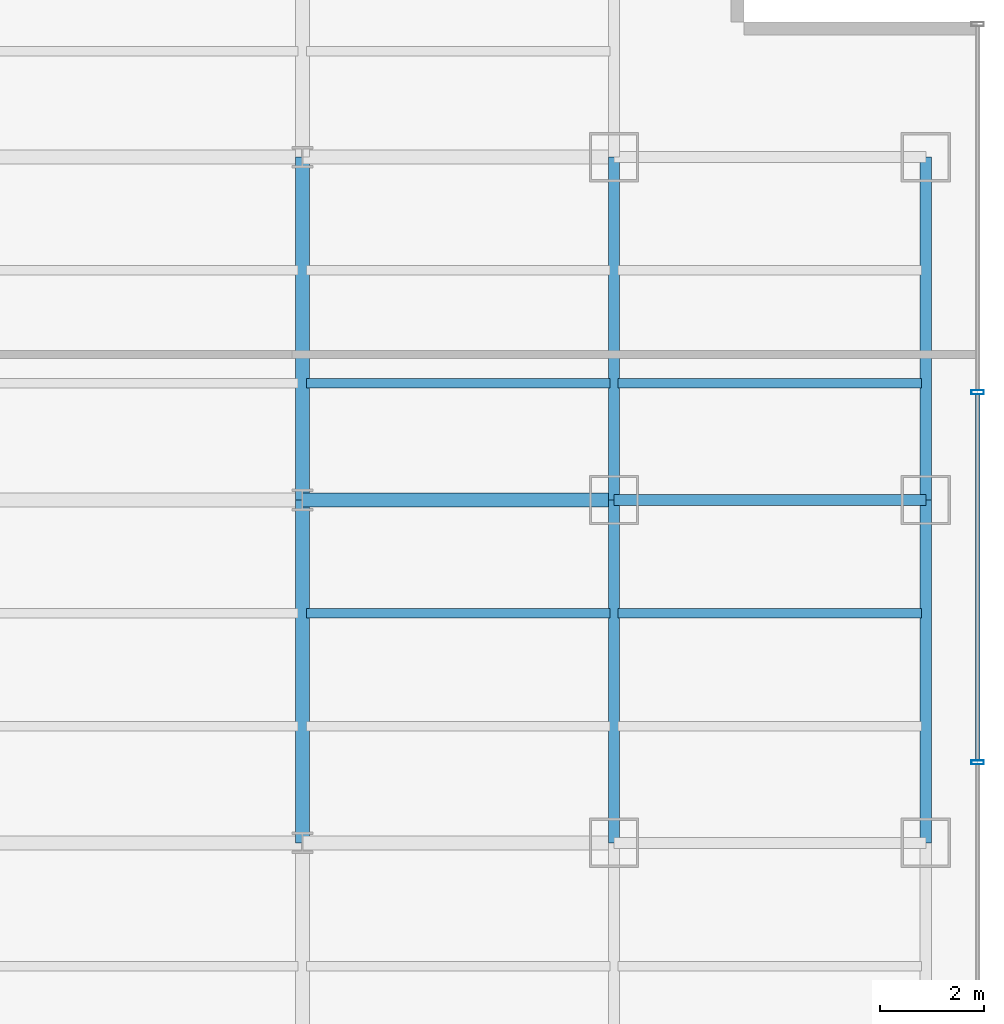
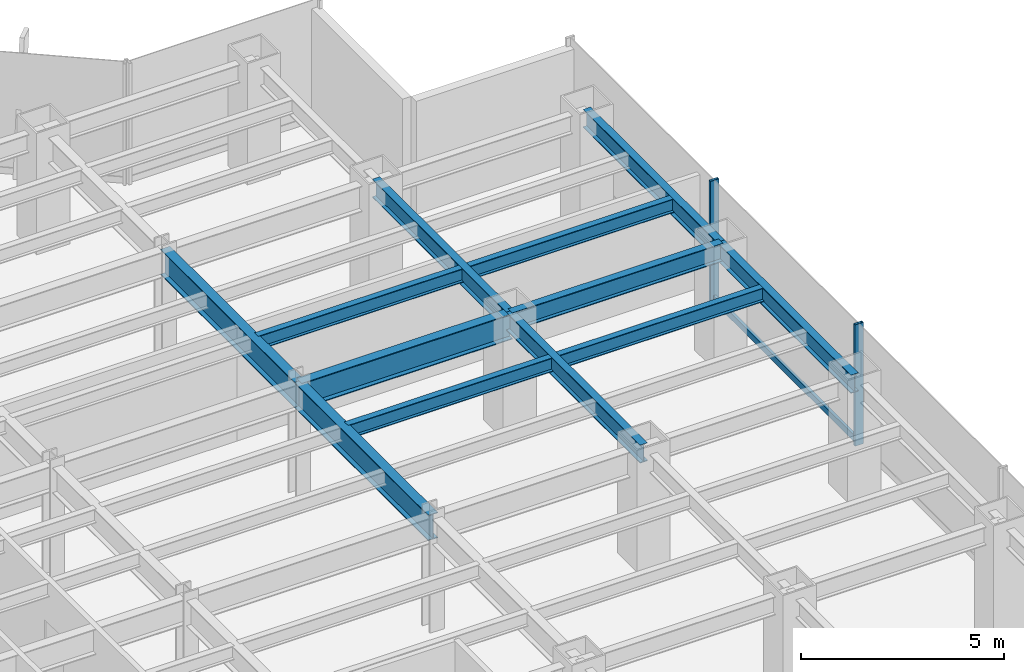
# One storey, part 9 of 22: 12 beams, 3 members, 1 element without a shape of its own.
"""IFC4 building model written with IfcOpenShell, lengths in metres."""

from ifc_helpers import new_model, si_unit, derived_unit, direction, frame, origin, origin_2d, place, context, subcontext, project, spatial, hollow_rectangle, i_section, extrude, source, transform, mapped, material, material_profile, profile_set, type_object, element, aggregate, save


model = new_model("IFC4")

# Units and contexts
model_context = context("Model", 3, precision=1e-05, world=origin(), true_north=direction((0.0, 1.0)))
body_context = subcontext(model_context, "Body", "Model", "MODEL_VIEW")
ifc_project = project(units=[si_unit("LENGTHUNIT", "METRE"), si_unit("AREAUNIT", "SQUARE_METRE"), si_unit("VOLUMEUNIT", "CUBIC_METRE"), si_unit("PLANEANGLEUNIT", "RADIAN"), si_unit("MASSUNIT", "GRAM", prefix="KILO"), derived_unit("THERMALTRANSMITTANCEUNIT", [(si_unit("POWERUNIT", "WATT"), 1), (si_unit("LENGTHUNIT", "METRE"), -2), (si_unit("THERMODYNAMICTEMPERATUREUNIT", "KELVIN"), -1)])], contexts=[model_context])

# Site, building, storey
site_placement = place(None, origin())
site = spatial("IfcSite", under=ifc_project, at=site_placement, CompositionType="ELEMENT")
building_placement = place(site_placement, origin())
building = spatial("IfcBuilding", under=site, at=building_placement, Name="Skarnbrae Concourse Arena and Tower", CompositionType="ELEMENT")
storey_placement = place(building_placement, frame((0.0, 0.0, 65.35009765625)))
storey = spatial("IfcBuildingStorey", under=building, at=storey_placement, Name="L15", CompositionType="ELEMENT", Elevation=65.35009765625)

# Beams
ifc_material_1 = material(Name="Steel CSA G40.21 350W", Category="steel")
ifc_material_profile_1 = material_profile(ifc_material_1, i_section(OverallWidth=0.214111328125, OverallDepth=0.549072265625, WebThickness=0.0146484375, FlangeThickness=0.023681640625, at=origin_2d()), Name="W530X138")
ifc_profile_set_1 = profile_set([ifc_material_profile_1], Name="Steel CSA G40.21 350W")
beam_type_1 = type_object("IfcBeamType", Name="BM-SPAN-W530X138", PredefinedType="SPANDREL", material=ifc_profile_set_1)
shared_shape_1 = source(origin(), body_context, "Body", "SweptSolid", [
    extrude(i_section(OverallWidth=0.214111328125, OverallDepth=0.549072265625, WebThickness=0.0146484375, FlangeThickness=0.023681640625, at=origin_2d()), origin(), (0.0, 0.0, 1.0), 6.0),
])
beam_1_placement = place(storey_placement, frame((55.0, 27.800048828125, 3.12548828125), z_axis=(1.0, 0.0, 0.0), x_axis=(0.0, 1.0, 0.0)))
element("IfcBeam", 1, at=beam_1_placement, inside=storey, type_object=beam_type_1, Name="L15 Perimeter spandrel Y27.8-9", PredefinedType="SPANDREL", context=body_context, shape_type="MappedRepresentation", body=[
    mapped(shared_shape_1, transform((0.0, 0.0, 0.0))),
])
ifc_material_profile_2 = material_profile(ifc_material_1, i_section(OverallWidth=0.26806640625, OverallDepth=0.77001953125, WebThickness=0.015625, FlangeThickness=0.025390625, at=origin_2d()), Name="W760X196")
ifc_profile_set_2 = profile_set([ifc_material_profile_2], Name="Steel CSA G40.21 350W")
beam_type_2 = type_object("IfcBeamType", Name="BM-GIRD-W760X196", PredefinedType="BEAM", material=ifc_profile_set_2)
shared_shape_2 = source(origin(), body_context, "Body", "SweptSolid", [
    extrude(i_section(OverallWidth=0.26806640625, OverallDepth=0.77001953125, WebThickness=0.015625, FlangeThickness=0.025390625, at=origin_2d()), origin(), (0.0, 0.0, 1.0), 6.60009765625),
])
beam_2_placement = place(storey_placement, frame((49.0, 21.199951171875, 3.014892578125), z_axis=(0.0, 1.0, 0.0), x_axis=(-1.0, 0.0, 0.0)))
element("IfcBeam", 2, at=beam_2_placement, inside=storey, type_object=beam_type_2, Name="L15 Primary N-S girder X49.0-3", PredefinedType="BEAM", context=body_context, shape_type="MappedRepresentation", body=[
    mapped(shared_shape_2, transform((0.0, 0.0, 0.0))),
])
shared_shape_3 = source(origin(), body_context, "Body", "SweptSolid", [
    extrude(i_section(OverallWidth=0.26806640625, OverallDepth=0.77001953125, WebThickness=0.015625, FlangeThickness=0.025390625, at=origin_2d()), origin(), (0.0, 0.0, 1.0), 6.0),
])
beam_3_placement = place(storey_placement, frame((49.0, 27.800048828125, 3.014892578125), z_axis=(1.0, 0.0, 0.0), x_axis=(0.0, 1.0, 0.0)))
element("IfcBeam", 3, at=beam_3_placement, inside=storey, type_object=beam_type_2, Name="L15 Primary E-W girder Y27.8-8", PredefinedType="BEAM", context=body_context, shape_type="MappedRepresentation", body=[
    mapped(shared_shape_3, transform((0.0, 0.0, 0.0))),
])
shared_shape_4 = source(origin(), body_context, "Body", "SweptSolid", [
    extrude(i_section(OverallWidth=0.214111328125, OverallDepth=0.549072265625, WebThickness=0.0146484375, FlangeThickness=0.023681640625, at=origin_2d()), origin(), (0.0, 0.0, 1.0), 6.60009765625),
])
for number, where, z_axis, x_axis, name in (
    (4, (55.0, 21.199951171875, 3.12548828125), (0.0, 1.0, 0.0), (-1.0, 0.0, 0.0), "L15 Perimeter spandrel X55.0-3"),
    (5, (61.0, 21.199951171875, 3.12548828125), (0.0, 1.0, 0.0), (-1.0, 0.0, 0.0), "L15 Perimeter spandrel X61.0-3"),
):
    element("IfcBeam", number, at=place(storey_placement, frame(where, z_axis=z_axis, x_axis=x_axis)), inside=storey, type_object=beam_type_1, Name=name, PredefinedType="SPANDREL", context=body_context, shape_type="MappedRepresentation", body=[
        mapped(shared_shape_4, transform((0.0, 0.0, 0.0))),
    ])
shared_shape_5 = source(origin(), body_context, "Body", "SweptSolid", [
    extrude(i_section(OverallWidth=0.214111328125, OverallDepth=0.549072265625, WebThickness=0.0146484375, FlangeThickness=0.023681640625, at=origin_2d()), origin(), (0.0, 0.0, 1.0), 6.599853515625),
])
for number, where, z_axis, x_axis, name in (
    (6, (55.0, 27.800048828125, 3.12548828125), (0.0, 1.0, 0.0), (-1.0, 0.0, 0.0), "L15 Perimeter spandrel X55.0-4"),
    (7, (61.0, 27.800048828125, 3.12548828125), (0.0, 1.0, 0.0), (-1.0, 0.0, 0.0), "L15 Perimeter spandrel X61.0-4"),
):
    element("IfcBeam", number, at=place(storey_placement, frame(where, z_axis=z_axis, x_axis=x_axis)), inside=storey, type_object=beam_type_1, Name=name, PredefinedType="SPANDREL", context=body_context, shape_type="MappedRepresentation", body=[
        mapped(shared_shape_5, transform((0.0, 0.0, 0.0))),
    ])
shared_shape_6 = source(origin(), body_context, "Body", "SweptSolid", [
    extrude(i_section(OverallWidth=0.26806640625, OverallDepth=0.77001953125, WebThickness=0.015625, FlangeThickness=0.025390625, at=origin_2d()), origin(), (0.0, 0.0, 1.0), 6.599853515625),
])
beam_4_placement = place(storey_placement, frame((49.0, 27.800048828125, 3.014892578125), z_axis=(0.0, 1.0, 0.0), x_axis=(-1.0, 0.0, 0.0)))
element("IfcBeam", 8, at=beam_4_placement, inside=storey, type_object=beam_type_2, Name="L15 Primary N-S girder X49.0-4", PredefinedType="BEAM", context=body_context, shape_type="MappedRepresentation", body=[
    mapped(shared_shape_6, transform((0.0, 0.0, 0.0))),
])
ifc_material_profile_3 = material_profile(ifc_material_1, i_section(OverallWidth=0.180908203125, OverallDepth=0.4169921875, WebThickness=0.010986328125, FlangeThickness=0.018310546875, at=origin_2d()), Name="W410X85")
ifc_profile_set_3 = profile_set([ifc_material_profile_3], Name="Steel CSA G40.21 350W")
beam_type_3 = type_object("IfcBeamType", Name="BM-JOIST-W410X85", PredefinedType="JOIST", material=ifc_profile_set_3)
shared_shape_7 = source(origin(), body_context, "Body", "SweptSolid", [
    extrude(i_section(OverallWidth=0.180908203125, OverallDepth=0.4169921875, WebThickness=0.010986328125, FlangeThickness=0.018310546875, at=origin_2d()), origin(), (0.0, 0.0, 1.0), 5.83984375),
])
for number, where, z_axis, x_axis, name in (
    (9, (49.080078125, 25.6220703125, 3.19140625), (1.0, 0.0, 0.0), (0.0, 1.0, 0.0), "L15 Secondary floor joist 2.2.8"),
    (10, (55.080078125, 25.6220703125, 3.19140625), (1.0, 0.0, 0.0), (0.0, 1.0, 0.0), "L15 Secondary floor joist 2.2.9"),
    (11, (49.080078125, 30.0439453125, 3.19140625), (1.0, 0.0, 0.0), (0.0, 1.0, 0.0), "L15 Secondary floor joist 3.1.8"),
    (12, (55.080078125, 30.0439453125, 3.19140625), (1.0, 0.0, 0.0), (0.0, 1.0, 0.0), "L15 Secondary floor joist 3.1.9"),
):
    element("IfcBeam", number, at=place(storey_placement, frame(where, z_axis=z_axis, x_axis=x_axis)), inside=storey, type_object=beam_type_3, Name=name, PredefinedType="JOIST", context=body_context, shape_type="MappedRepresentation", body=[
        mapped(shared_shape_7, transform((0.0, 0.0, 0.0))),
    ])

# Curtain wall, members
ifc_material_2 = material(Name="Bronze anodised aluminium 6063-T6", Category="aluminium")
curtain_wall_type = type_object("IfcCurtainWallType", Name="CW-SYS-02-LOWZONE", PredefinedType="USERDEFINED", material=ifc_material_2)
curtain_wall_placement = place(storey_placement, origin())
curtain_wall = element("IfcCurtainWall", 13, at=curtain_wall_placement, inside=storey, type_object=curtain_wall_type, Name="L15 Unitised curtain wall CW-L15-E04", ObjectType="UNITISED CURTAIN WALL", PredefinedType="USERDEFINED")
ifc_material_profile_4 = material_profile(ifc_material_2, hollow_rectangle(XDim=0.080078125, YDim=0.239990234375, WallThickness=0.0048828125, at=origin_2d()), Name="ALU-MULL-80X240")
ifc_profile_set_4 = profile_set([ifc_material_profile_4], Name="Bronze anodised aluminium 6063-T6")
member_type_1 = type_object("IfcMemberType", Name="CWM-CW-02", PredefinedType="MULLION", material=ifc_profile_set_4)
shared_shape_8 = source(origin(), body_context, "Body", "SweptSolid", [
    extrude(hollow_rectangle(XDim=0.080078125, YDim=0.239990234375, WallThickness=0.0048828125, at=origin_2d()), origin(), (0.0, 0.0, 1.0), 3.64990234375),
])
member_1_placement = place(storey_placement, frame((62.0, 22.75, 0.0), z_axis=(0.0, 0.0, 1.0), x_axis=(0.0, 1.0, 0.0)))
member_1 = element("IfcMember", 14, at=member_1_placement, type_object=member_type_1, Name="CW-L15-E04 Mullion 3", PredefinedType="MULLION", context=body_context, shape_type="MappedRepresentation", body=[
    mapped(shared_shape_8, transform((0.0, 0.0, 0.0))),
])
member_2_placement = place(storey_placement, frame((62.0, 29.875, 0.0), z_axis=(0.0, 0.0, 1.0), x_axis=(0.0, 1.0, 0.0)))
member_2 = element("IfcMember", 15, at=member_2_placement, type_object=member_type_1, Name="CW-L15-E04 Mullion 4", PredefinedType="MULLION", context=body_context, shape_type="MappedRepresentation", body=[
    mapped(shared_shape_8, transform((0.0, 0.0, 0.0))),
])
ifc_material_profile_5 = material_profile(ifc_material_2, hollow_rectangle(XDim=0.080078125, YDim=0.18994140625, WallThickness=0.0048828125, at=origin_2d()), Name="ALU-TRAN-80X190")
ifc_profile_set_5 = profile_set([ifc_material_profile_5], Name="Bronze anodised aluminium 6063-T6")
member_type_2 = type_object("IfcMemberType", Name="CWT-CW-02", PredefinedType="USERDEFINED", material=ifc_profile_set_5)
shared_shape_9 = source(origin(), body_context, "Body", "SweptSolid", [
    extrude(hollow_rectangle(XDim=0.080078125, YDim=0.18994140625, WallThickness=0.0048828125, at=origin_2d()), origin(), (0.0, 0.0, 1.0), 7.044921875),
])
member_3_placement = place(storey_placement, frame((62.0, 22.7900390625, 0.094970703125), z_axis=(0.0, 1.0, 0.0), x_axis=(-1.0, 0.0, 0.0)))
member_3 = element("IfcMember", 16, at=member_3_placement, type_object=member_type_2, Name="CW-L15-E04 Transom 3", ObjectType="TRANSOM", PredefinedType="USERDEFINED", context=body_context, shape_type="MappedRepresentation", body=[
    mapped(shared_shape_9, transform((0.0, 0.0, 0.0))),
])
aggregate(curtain_wall, [member_1, member_2, member_3])

save(model, "model.ifc")
